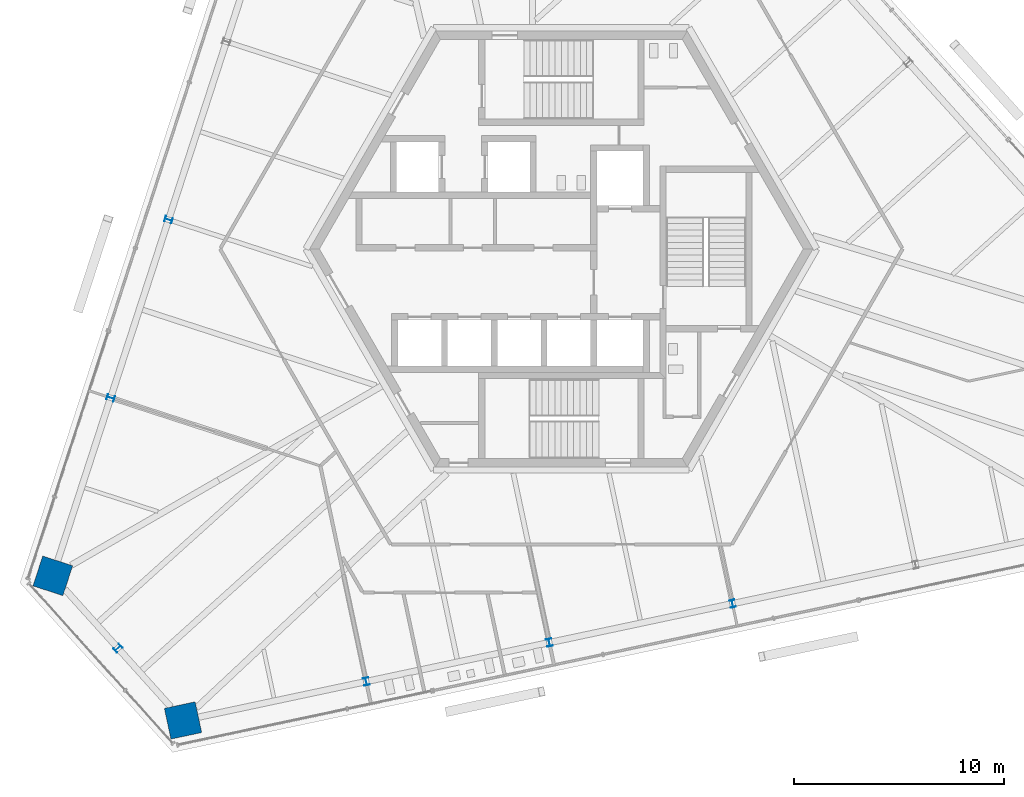
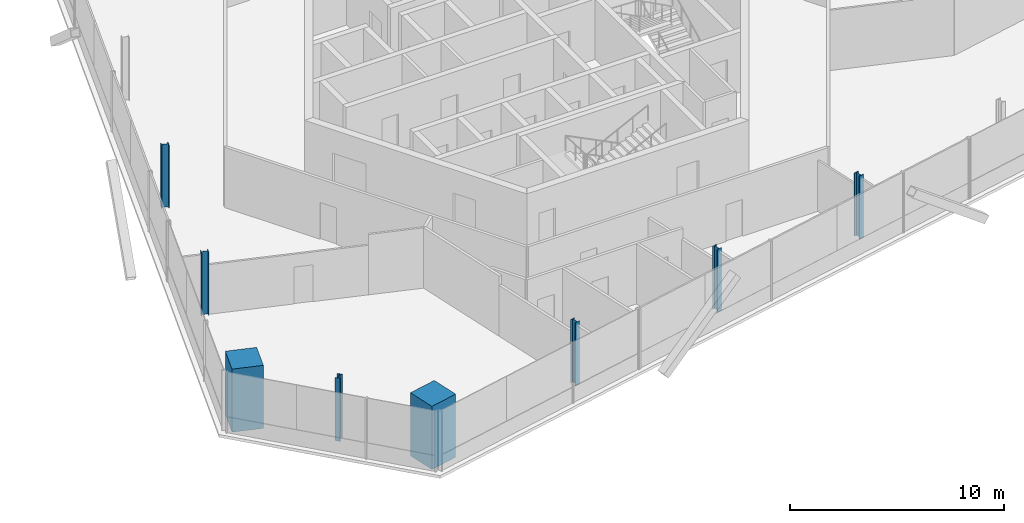
# One storey, part 1 of 15: 8 columns.
"""IFC4 building model written with IfcOpenShell, lengths in metres."""

import ifcopenshell
import ifcopenshell.guid

model = None  # the IFC model being written
_history = None  # IfcOwnerHistory: only IFC2X3 demands one
_inside = {}  # id of a spatial element -> (the spatial element, [elements in it])
_under = {}  # id of a project, library or spatial element -> (it, [spatial elements below it])
_declared = {}  # id of a project -> (the project, [libraries it declares])
_typed = {}  # id of a type object -> (the type object, [elements of that type])
_made_of = {}  # id of a material, layer set ... -> (it, [elements and type objects made of it])


def new_model(schema):
    """Start an empty IFC model of exactly this schema.

    Asked for "IFC4X3", IfcOpenShell would pick the latest addendum, in which some entities
    have other attributes; the version numbers below select the first issue.
    IFC2X3 requires an IfcOwnerHistory on every rooted entity: one is made here for all.
    """
    global model, _history
    if schema == "IFC4X3":
        model = ifcopenshell.file(schema_version=(4, 3, 0, 0))
    else:
        model = ifcopenshell.file(schema=schema)
    _inside.clear()
    _under.clear()
    _declared.clear()
    _typed.clear()
    _made_of.clear()
    _history = None
    if model.schema == "IFC2X3":
        org = make("IfcOrganization", Name="unknown")
        user = make(
            "IfcPersonAndOrganization",
            ThePerson=make("IfcPerson", FamilyName="unknown"),
            TheOrganization=org,
        )
        app = make(
            "IfcApplication",
            ApplicationDeveloper=org,
            Version="unknown",
            ApplicationFullName="unknown",
            ApplicationIdentifier="unknown",
        )
        _history = make(
            "IfcOwnerHistory",
            OwningUser=user,
            OwningApplication=app,
            ChangeAction="ADDED",
            CreationDate=0,
        )
    return model


def make(cls, **values):
    """One entity of the class cls with the attributes given. An attribute that is None is left unset."""
    return model.create_entity(
        cls, **{name: value for name, value in values.items() if value is not None}
    )


def rooted(cls, **values):
    """An entity with a GlobalId (a new one), such as an element, a storey or a relation."""
    return make(cls, GlobalId=ifcopenshell.guid.new(), OwnerHistory=_history, **values)


def si_unit(unit_type, name, prefix=None):
    """IfcSIUnit, for example si_unit("LENGTHUNIT", "METRE", prefix="MILLI")."""
    return make("IfcSIUnit", UnitType=unit_type, Prefix=prefix, Name=name)


def assignment(units):
    """IfcUnitAssignment: the units of a project."""
    return None if units is None else make("IfcUnitAssignment", Units=units)


def point(xyz):
    """IfcCartesianPoint."""
    return None if xyz is None else make("IfcCartesianPoint", Coordinates=xyz)


def direction(xyz):
    """IfcDirection."""
    return None if xyz is None else make("IfcDirection", DirectionRatios=xyz)


def frame(location, z_axis=None, x_axis=None):
    """IfcAxis2Placement3D, a coordinate frame: its origin and axes. An axis left out is left unset."""
    return make(
        "IfcAxis2Placement3D",
        Location=point(location),
        Axis=direction(z_axis),
        RefDirection=direction(x_axis),
    )


def frame_2d(location, x_axis=None):
    """IfcAxis2Placement2D, a coordinate frame in the plane: its origin and x axis."""
    return make(
        "IfcAxis2Placement2D", Location=point(location), RefDirection=direction(x_axis)
    )


def origin():
    """The frame at (0, 0, 0) with its axes left unset."""
    return frame((0.0, 0.0, 0.0))


def origin_2d():
    """The frame at (0, 0) in the plane with its x axis left unset."""
    return frame_2d((0.0, 0.0))


def place(relative_to, where):
    """IfcLocalPlacement: puts the frame where relative to a parent placement (None: the world)."""
    return make(
        "IfcLocalPlacement", PlacementRelTo=relative_to, RelativePlacement=where
    )


def context(
    kind, dimensions, precision=None, world=None, true_north=None, identifier=None
):
    """IfcGeometricRepresentationContext, for example the 3D "Model" context."""
    return make(
        "IfcGeometricRepresentationContext",
        ContextIdentifier=identifier,
        ContextType=kind,
        CoordinateSpaceDimension=dimensions,
        Precision=precision,
        WorldCoordinateSystem=world,
        TrueNorth=true_north,
    )


def subcontext(parent, identifier, kind, view, scale=None):
    """IfcGeometricRepresentationSubContext, for example "Body" below "Model"."""
    return make(
        "IfcGeometricRepresentationSubContext",
        ContextIdentifier=identifier,
        ContextType=kind,
        ParentContext=parent,
        TargetScale=scale,
        TargetView=view,
    )


def project(units=None, contexts=None):
    """IfcProject with its units and contexts."""
    return rooted(
        "IfcProject",
        Name="project",
        RepresentationContexts=contexts,
        UnitsInContext=assignment(units),
    )


def spatial(cls, under=None, at=None, **own):
    """A site, building, storey or space (cls), placed at a placement, below another one or the project."""
    s = rooted(cls, ObjectPlacement=at, **own)
    if under is not None:
        _under.setdefault(under.id(), (under, []))[1].append(s)
    return s


def profile(cls, at=None, kind="AREA", **sizes):
    """A parametric profile (cls). Its sizes go by their IFC names, for example OverallWidth=200.0."""
    return make(cls, ProfileType=kind, Position=at, **sizes)


def rectangle(**sizes):
    """IfcRectangleProfileDef."""
    return profile("IfcRectangleProfileDef", **sizes)


def i_section(**sizes):
    """IfcIShapeProfileDef."""
    return profile("IfcIShapeProfileDef", **sizes)


def extrude(swept, where, along, depth):
    """IfcExtrudedAreaSolid: the profile swept, set in the frame where, extruded along a direction by depth."""
    return make(
        "IfcExtrudedAreaSolid",
        SweptArea=swept,
        Position=where,
        ExtrudedDirection=direction(along),
        Depth=depth,
    )


def shape(context_of_items, identifier, shape_type, items):
    """IfcShapeRepresentation: the items that make up one representation, for example the "Body"."""
    return make(
        "IfcShapeRepresentation",
        ContextOfItems=context_of_items,
        RepresentationIdentifier=identifier,
        RepresentationType=shape_type,
        Items=items,
    )


def source(mapping_origin, context_of_items, identifier, shape_type, items):
    """IfcRepresentationMap: a shape defined once, which mapped items show again and again."""
    return make(
        "IfcRepresentationMap",
        MappingOrigin=mapping_origin,
        MappedRepresentation=shape(context_of_items, identifier, shape_type, items),
    )


def transform(
    local_origin,
    x_axis=None,
    y_axis=None,
    z_axis=None,
    scale=None,
    scale2=None,
    scale3=None,
    uniform=True,
):
    """IfcCartesianTransformationOperator3D, or its non-uniform kind. x_axis, y_axis, z_axis: its Axis1, 2, 3."""
    if uniform:
        return make(
            "IfcCartesianTransformationOperator3D",
            Axis1=direction(x_axis),
            Axis2=direction(y_axis),
            LocalOrigin=point(local_origin),
            Scale=scale,
            Axis3=direction(z_axis),
        )
    return make(
        "IfcCartesianTransformationOperator3DnonUniform",
        Axis1=direction(x_axis),
        Axis2=direction(y_axis),
        LocalOrigin=point(local_origin),
        Scale=scale,
        Axis3=direction(z_axis),
        Scale2=scale2,
        Scale3=scale3,
    )


def mapped(mapping_source, mapping_target):
    """IfcMappedItem: shows the shape of a source again, moved by a transform."""
    return make(
        "IfcMappedItem", MappingSource=mapping_source, MappingTarget=mapping_target
    )


def material(Name=None, Category=None):
    """IfcMaterial."""
    return make("IfcMaterial", Name=Name, Category=Category)


def material_profile(
    of_material, cross_section, Name=None, Category=None, Priority=None
):
    """IfcMaterialProfile: a cross section and its material."""
    return make(
        "IfcMaterialProfile",
        Name=Name,
        Material=of_material,
        Profile=cross_section,
        Priority=Priority,
        Category=Category,
    )


def profile_set(profiles, Name=None, composite=None):
    """IfcMaterialProfileSet."""
    return make(
        "IfcMaterialProfileSet",
        Name=Name,
        MaterialProfiles=profiles,
        CompositeProfile=composite,
    )


def made_of(thing, what):
    """Note that an element or type object is made of a material, layer set ...; save() writes the relation."""
    if what is not None:
        _made_of.setdefault(what.id(), (what, []))[1].append(thing)
    return thing


def type_object(cls, material=None, **own):
    """A type object (cls), such as IfcWallType, which elements share."""
    return made_of(rooted(cls, **own), material)


def element(
    cls,
    number,
    at=None,
    inside=None,
    cuts=None,
    type_object=None,
    material=None,
    context=None,
    identifier="Body",
    shape_type=None,
    held_by="IfcProductDefinitionShape",
    body=None,
    shapes=None,
    **own,
):
    """One element of the class cls, such as IfcWall. Its Tag is "e" and its number.

    at: its placement. inside: the storey or other place that contains it. cuts: it is an
    opening in that element (IfcRelVoidsElement). A single representation is given by context,
    identifier, shape_type and body (its items); several are given by shapes. held_by: the class
    of the entity that holds the representations. save() writes the other relations.
    """
    e = rooted(cls, Tag="e%d" % number, ObjectPlacement=at, **own)
    if body is not None:
        shapes = [shape(context, identifier, shape_type, body)]
    if shapes is not None:
        e.Representation = make(held_by, Representations=shapes)
    if inside is not None:
        _inside.setdefault(inside.id(), (inside, []))[1].append(e)
    if cuts is not None:
        rooted(
            "IfcRelVoidsElement", RelatingBuildingElement=cuts, RelatedOpeningElement=e
        )
    if type_object is not None:
        _typed.setdefault(type_object.id(), (type_object, []))[1].append(e)
    return made_of(e, material)


def aggregate(whole, parts):
    """IfcRelAggregates: a whole, such as a stair, and the parts it consists of."""
    return rooted("IfcRelAggregates", RelatingObject=whole, RelatedObjects=parts)


def save(model, path):
    """Write the relations noted so far, then the file.

    IfcRelAggregates (storeys below a building ...), IfcRelContainedInSpatialStructure (elements
    in a storey), IfcRelDefinesByType, IfcRelAssociatesMaterial and IfcRelDeclares: one each for
    every whole, place, type object, material and project.
    """
    for whole, parts in _under.values():
        aggregate(whole, parts)
    for where, things in _inside.values():
        rooted(
            "IfcRelContainedInSpatialStructure",
            RelatedElements=things,
            RelatingStructure=where,
        )
    for kind, things in _typed.values():
        rooted("IfcRelDefinesByType", RelatedObjects=things, RelatingType=kind)
    for what, things in _made_of.values():
        rooted("IfcRelAssociatesMaterial", RelatedObjects=things, RelatingMaterial=what)
    for by, libraries in _declared.values():
        rooted("IfcRelDeclares", RelatingContext=by, RelatedDefinitions=libraries)
    model.write(path)


model = new_model("IFC4")

# Units and contexts
model_context = context("Model", 3, precision=1e-05, world=origin(), true_north=direction((0.0, 1.0)))
body_context = subcontext(model_context, "Body", "Model", "MODEL_VIEW")
ifc_project = project(units=[si_unit("LENGTHUNIT", "METRE"), si_unit("AREAUNIT", "SQUARE_METRE"), si_unit("VOLUMEUNIT", "CUBIC_METRE"), si_unit("PLANEANGLEUNIT", "RADIAN"), si_unit("MASSUNIT", "GRAM", prefix="KILO")], contexts=[model_context])

# Site, building, storey
site_placement = place(None, origin())
site = spatial("IfcSite", under=ifc_project, at=site_placement, CompositionType="ELEMENT")
building_placement = place(site_placement, origin())
building = spatial("IfcBuilding", under=site, at=building_placement, Name="Triune Harvest Tower", CompositionType="ELEMENT")
storey_placement = place(building_placement, frame((0.0, 0.0, 270.300048828125)))
storey = spatial("IfcBuildingStorey", under=building, at=storey_placement, Name="L71", CompositionType="ELEMENT", Elevation=270.300048828125)

# Columns
ifc_material_1 = material(Name="Concrete 70 MPa", Category="concrete")
ifc_material_profile_1 = material_profile(ifc_material_1, rectangle(XDim=1.5, YDim=1.5, at=origin_2d()), Name="Composite 1500x1500")
ifc_profile_set_1 = profile_set([ifc_material_profile_1], Name="Concrete 70 MPa")
column_type_1 = type_object("IfcColumnType", Name="MC-7 Mega column Composite 1500x1500", PredefinedType="COLUMN", material=ifc_profile_set_1)
shared_shape_1 = source(origin(), body_context, "Body", "SweptSolid", [
    extrude(rectangle(XDim=1.5, YDim=1.5, at=origin_2d()), origin(), (0.0, 0.0, 1.0), 3.599853515625),
])
for number, where, z_axis, x_axis, name in (
    (1, (-24.24853515625, -15.58984375, 0.0), (0.0, 0.0, 1.0), (-0.309015334468, -0.95105705563, 0.0), "col/L71/M12"),
    (2, (-18.0390625, -22.486083984375, 0.0), (0.0, 0.0, 1.0), (0.978147237858, 0.207913398007, 0.0), "col/L71/M14"),
):
    element("IfcColumn", number, at=place(storey_placement, frame(where, z_axis=z_axis, x_axis=x_axis)), inside=storey, type_object=column_type_1, Name=name, PredefinedType="COLUMN", context=body_context, shape_type="MappedRepresentation", body=[
        mapped(shared_shape_1, transform((0.0, 0.0, 0.0), scale=1.0)),
    ])
ifc_material_2 = material(Name="Steel ASTM A992 Gr 50", Category="steel")
ifc_material_profile_2 = material_profile(ifc_material_2, i_section(OverallWidth=0.256591796875, OverallDepth=0.360595703125, WebThickness=0.011474609375, FlangeThickness=0.02001953125, at=origin_2d()), Name="W14x74")
ifc_profile_set_2 = profile_set([ifc_material_profile_2], Name="Steel ASTM A992 Gr 50")
column_type_2 = type_object("IfcColumnType", Name="PC-7 Perimeter column W14x74", PredefinedType="COLUMN", material=ifc_profile_set_2)
shared_shape_2 = source(origin(), body_context, "Body", "SweptSolid", [
    extrude(i_section(OverallWidth=0.256591796875, OverallDepth=0.360595703125, WebThickness=0.011474609375, FlangeThickness=0.02001953125, at=origin_2d()), origin(), (0.0, 0.0, 1.0), 3.599853515625),
])
for number, where, z_axis, x_axis, name in (
    (3, (-18.730712890625, 1.392333984375, 0.0), (0.0, 0.0, 1.0), (-0.309015334468, -0.95105705563, 0.0), "col/L71/P10"),
    (4, (-21.48974609375, -7.098876953125, 0.0), (0.0, 0.0, 1.0), (-0.309015334468, -0.95105705563, 0.0), "col/L71/P11"),
    (5, (-21.143798828125, -19.0380859375, 0.0), (0.0, 0.0, 1.0), (0.669129309325, -0.743145993329, 0.0), "col/L71/P13"),
    (6, (-9.30615234375, -20.6298828125, 0.0), (0.0, 0.0, 1.0), (0.978147237858, 0.207913398007, 0.0), "col/L71/P15"),
    (7, (-0.5732421875, -18.773681640625, 0.0), (0.0, 0.0, 1.0), (0.978147237858, 0.207913398007, 0.0), "col/L71/P16"),
    (8, (8.15966796875, -16.91748046875, 0.0), (0.0, 0.0, 1.0), (0.978147237858, 0.207913398007, 0.0), "col/L71/P17"),
):
    element("IfcColumn", number, at=place(storey_placement, frame(where, z_axis=z_axis, x_axis=x_axis)), inside=storey, type_object=column_type_2, Name=name, PredefinedType="COLUMN", context=body_context, shape_type="MappedRepresentation", body=[
        mapped(shared_shape_2, transform((0.0, 0.0, 0.0), scale=1.0)),
    ])

save(model, "model.ifc")
